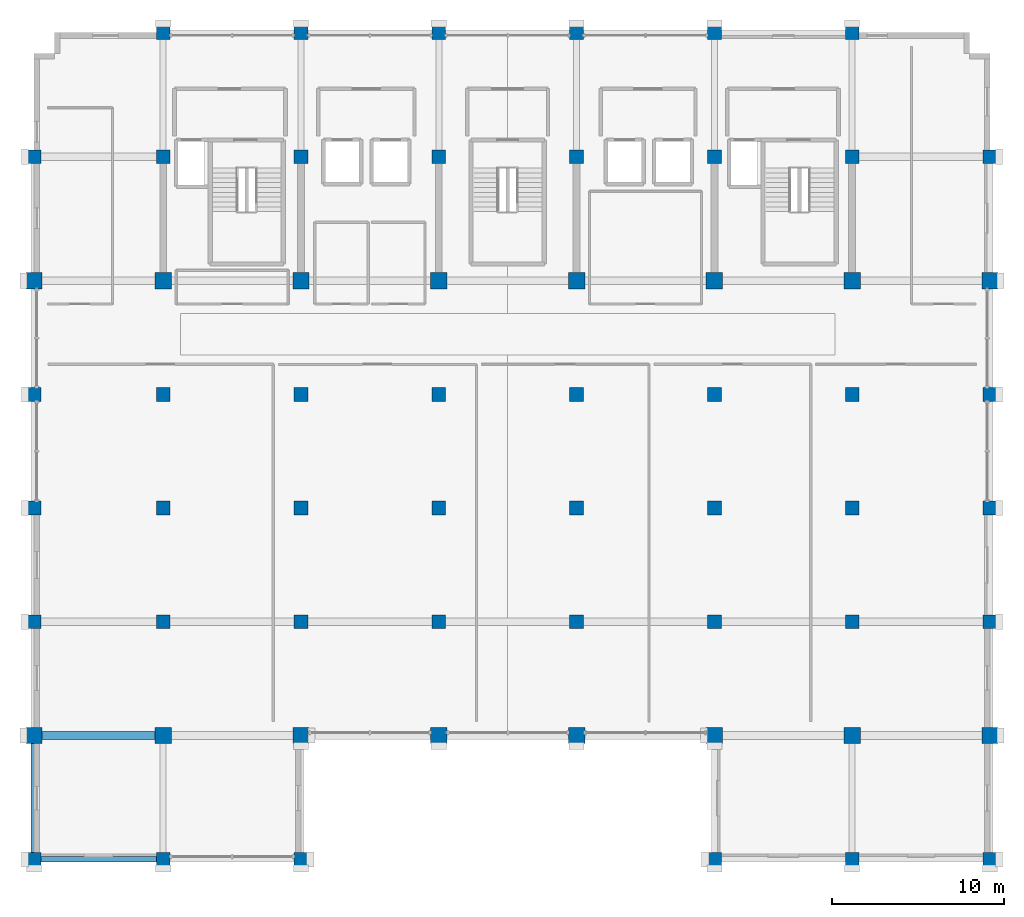
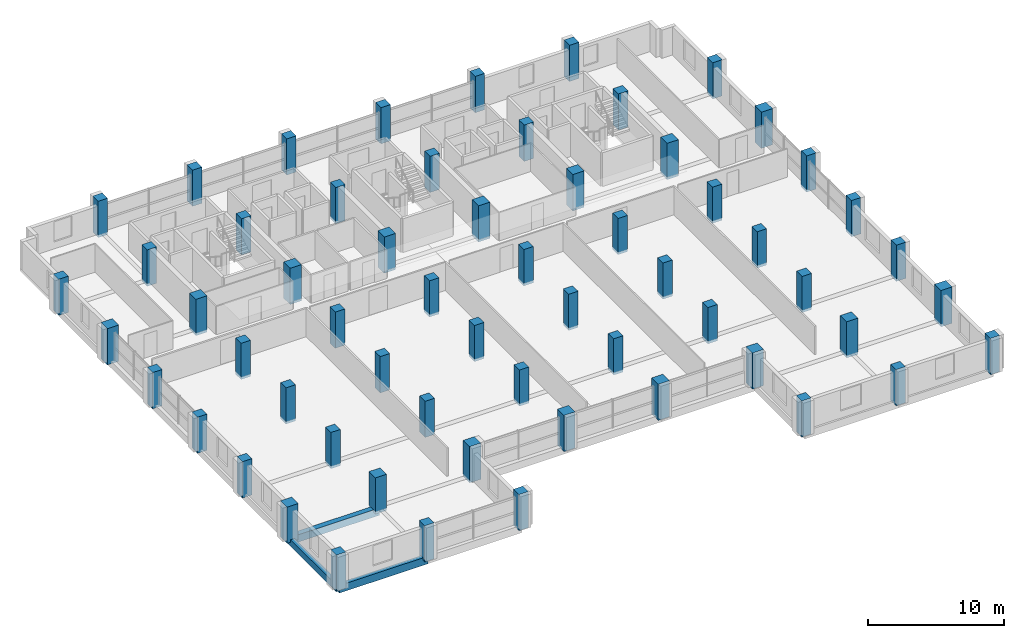
# One storey, part 1 of 23: 60 columns, 3 beams.
"""IFC4 building model written with IfcOpenShell, lengths in metres."""

from ifc_helpers import new_model, si_unit, direction, frame, origin, origin_2d, place, context, subcontext, project, spatial, rectangle, extrude, material, material_profile, profile_set, type_object, element, save


model = new_model("IFC4")

# Units and contexts
model_context = context("Model", 3, precision=1e-05, world=origin(), true_north=direction((0.0, 1.0)))
body_context = subcontext(model_context, "Body", "Model", "MODEL_VIEW")
ifc_project = project(units=[si_unit("LENGTHUNIT", "METRE"), si_unit("AREAUNIT", "SQUARE_METRE"), si_unit("VOLUMEUNIT", "CUBIC_METRE"), si_unit("PLANEANGLEUNIT", "RADIAN"), si_unit("MASSUNIT", "GRAM", prefix="KILO")], contexts=[model_context])

# Site, building, storey
site_placement = place(None, origin())
site = spatial("IfcSite", under=ifc_project, at=site_placement, CompositionType="ELEMENT")
building_placement = place(site_placement, origin())
building = spatial("IfcBuilding", under=site, at=building_placement, Name="Akrevak Sports Hall", CompositionType="ELEMENT")
storey_placement = place(building_placement, frame((0.0, 0.0, 47.050048828125)))
storey = spatial("IfcBuildingStorey", under=building, at=storey_placement, Name="L11", CompositionType="ELEMENT", Elevation=47.050048828125)

# Columns
ifc_material_1 = material(Name="Concrete C40/50", Category="concrete")
ifc_material_profile_1 = material_profile(ifc_material_1, rectangle(XDim=0.800048828125, YDim=0.800048828125, at=origin_2d()), Name="RC 800x800", Category="concrete")
ifc_profile_set_1 = profile_set([ifc_material_profile_1], Name="Concrete C40/50")
column_type_1 = type_object("IfcColumnType", Name="STR-COL-RC800", PredefinedType="COLUMN", material=ifc_profile_set_1)
for number, where, z_axis, x_axis, name in (
    (1, (52.5, 21.60009765625, -0.22998046875), (0.0, 0.0, 1.0), (1.0, 0.0, 0.0), "Column 8/D (L11)"),
    (2, (52.5, 35.39990234375, -0.22998046875), (0.0, 0.0, 1.0), (1.0, 0.0, 0.0), "Column 8/F (L11)"),
    (3, (52.5, 42.0, -0.22998046875), (0.0, 0.0, 1.0), (1.0, 0.0, 0.0), "Column 8/G (L11)"),
    (4, (52.5, 48.60009765625, -0.22998046875), (0.0, 0.0, 1.0), (1.0, 0.0, 0.0), "Column 8/H (L11)"),
    (5, (52.5, 62.39990234375, -0.22998046875), (0.0, 0.0, 1.0), (1.0, 0.0, 0.0), "Column 8/J (L11)"),
    (6, (60.0, 21.60009765625, -0.22998046875), (0.0, 0.0, 1.0), (1.0, 0.0, 0.0), "Column 9/D (L11)"),
    (7, (60.0, 35.39990234375, -0.22998046875), (0.0, 0.0, 1.0), (1.0, 0.0, 0.0), "Column 9/F (L11)"),
    (8, (60.0, 42.0, -0.22998046875), (0.0, 0.0, 1.0), (1.0, 0.0, 0.0), "Column 9/G (L11)"),
    (9, (60.0, 48.60009765625, -0.22998046875), (0.0, 0.0, 1.0), (1.0, 0.0, 0.0), "Column 9/H (L11)"),
    (10, (60.0, 62.39990234375, -0.22998046875), (0.0, 0.0, 1.0), (1.0, 0.0, 0.0), "Column 9/J (L11)"),
    (11, (60.0, 69.60009765625, -0.22998046875), (0.0, 0.0, 1.0), (1.0, 0.0, 0.0), "Column 9/K (L11)"),
    (12, (68.0, 21.60009765625, -0.22998046875), (0.0, 0.0, 1.0), (1.0, 0.0, 0.0), "Column 10/D (L11)"),
    (13, (68.0, 35.39990234375, -0.22998046875), (0.0, 0.0, 1.0), (1.0, 0.0, 0.0), "Column 10/F (L11)"),
    (14, (68.0, 42.0, -0.22998046875), (0.0, 0.0, 1.0), (1.0, 0.0, 0.0), "Column 10/G (L11)"),
    (15, (68.0, 48.60009765625, -0.22998046875), (0.0, 0.0, 1.0), (1.0, 0.0, 0.0), "Column 10/H (L11)"),
    (16, (68.0, 62.39990234375, -0.22998046875), (0.0, 0.0, 1.0), (1.0, 0.0, 0.0), "Column 10/J (L11)"),
    (17, (68.0, 69.60009765625, -0.22998046875), (0.0, 0.0, 1.0), (1.0, 0.0, 0.0), "Column 10/K (L11)"),
    (18, (76.0, 35.39990234375, -0.22998046875), (0.0, 0.0, 1.0), (1.0, 0.0, 0.0), "Column 11/F (L11)"),
    (19, (76.0, 42.0, -0.22998046875), (0.0, 0.0, 1.0), (1.0, 0.0, 0.0), "Column 11/G (L11)"),
    (20, (76.0, 48.60009765625, -0.22998046875), (0.0, 0.0, 1.0), (1.0, 0.0, 0.0), "Column 11/H (L11)"),
    (21, (76.0, 62.39990234375, -0.22998046875), (0.0, 0.0, 1.0), (1.0, 0.0, 0.0), "Column 11/J (L11)"),
    (22, (76.0, 69.60009765625, -0.22998046875), (0.0, 0.0, 1.0), (1.0, 0.0, 0.0), "Column 11/K (L11)"),
    (23, (84.0, 35.39990234375, -0.22998046875), (0.0, 0.0, 1.0), (1.0, 0.0, 0.0), "Column 12/F (L11)"),
    (24, (84.0, 42.0, -0.22998046875), (0.0, 0.0, 1.0), (1.0, 0.0, 0.0), "Column 12/G (L11)"),
    (25, (84.0, 48.60009765625, -0.22998046875), (0.0, 0.0, 1.0), (1.0, 0.0, 0.0), "Column 12/H (L11)"),
    (26, (84.0, 62.39990234375, -0.22998046875), (0.0, 0.0, 1.0), (1.0, 0.0, 0.0), "Column 12/J (L11)"),
    (27, (84.0, 69.60009765625, -0.22998046875), (0.0, 0.0, 1.0), (1.0, 0.0, 0.0), "Column 12/K (L11)"),
    (28, (92.0, 21.60009765625, -0.22998046875), (0.0, 0.0, 1.0), (1.0, 0.0, 0.0), "Column 13/D (L11)"),
    (29, (92.0, 35.39990234375, -0.22998046875), (0.0, 0.0, 1.0), (1.0, 0.0, 0.0), "Column 13/F (L11)"),
    (30, (92.0, 42.0, -0.22998046875), (0.0, 0.0, 1.0), (1.0, 0.0, 0.0), "Column 13/G (L11)"),
    (31, (92.0, 48.60009765625, -0.22998046875), (0.0, 0.0, 1.0), (1.0, 0.0, 0.0), "Column 13/H (L11)"),
    (32, (92.0, 62.39990234375, -0.22998046875), (0.0, 0.0, 1.0), (1.0, 0.0, 0.0), "Column 13/J (L11)"),
    (33, (92.0, 69.60009765625, -0.22998046875), (0.0, 0.0, 1.0), (1.0, 0.0, 0.0), "Column 13/K (L11)"),
    (34, (100.0, 21.60009765625, -0.22998046875), (0.0, 0.0, 1.0), (1.0, 0.0, 0.0), "Column 14/D (L11)"),
    (35, (100.0, 35.39990234375, -0.22998046875), (0.0, 0.0, 1.0), (1.0, 0.0, 0.0), "Column 14/F (L11)"),
    (36, (100.0, 42.0, -0.22998046875), (0.0, 0.0, 1.0), (1.0, 0.0, 0.0), "Column 14/G (L11)"),
    (37, (100.0, 48.60009765625, -0.22998046875), (0.0, 0.0, 1.0), (1.0, 0.0, 0.0), "Column 14/H (L11)"),
    (38, (100.0, 62.39990234375, -0.22998046875), (0.0, 0.0, 1.0), (1.0, 0.0, 0.0), "Column 14/J (L11)"),
    (39, (100.0, 69.60009765625, -0.22998046875), (0.0, 0.0, 1.0), (1.0, 0.0, 0.0), "Column 14/K (L11)"),
    (40, (108.0, 21.60009765625, -0.22998046875), (0.0, 0.0, 1.0), (1.0, 0.0, 0.0), "Column 15/D (L11)"),
    (41, (108.0, 35.39990234375, -0.22998046875), (0.0, 0.0, 1.0), (1.0, 0.0, 0.0), "Column 15/F (L11)"),
    (42, (108.0, 42.0, -0.22998046875), (0.0, 0.0, 1.0), (1.0, 0.0, 0.0), "Column 15/G (L11)"),
    (43, (108.0, 48.60009765625, -0.22998046875), (0.0, 0.0, 1.0), (1.0, 0.0, 0.0), "Column 15/H (L11)"),
    (44, (108.0, 62.39990234375, -0.22998046875), (0.0, 0.0, 1.0), (1.0, 0.0, 0.0), "Column 15/J (L11)"),
):
    element("IfcColumn", number, at=place(storey_placement, frame(where, z_axis=z_axis, x_axis=x_axis)), inside=storey, type_object=column_type_1, Name=name, PredefinedType="COLUMN", context=body_context, shape_type="SweptSolid", body=[
        extrude(rectangle(XDim=0.800048828125, YDim=0.800048828125, at=origin_2d()), origin(), (0.0, 0.0, 1.0), 3.25),
    ])
ifc_material_2 = material(Name="Concrete C50/60", Category="concrete")
ifc_material_profile_2 = material_profile(ifc_material_2, rectangle(XDim=0.949951171875, YDim=0.949951171875, at=origin_2d()), Name="RC 950x950", Category="concrete")
ifc_profile_set_2 = profile_set([ifc_material_profile_2], Name="Concrete C50/60")
column_type_2 = type_object("IfcColumnType", Name="STR-COL-RC950", PredefinedType="COLUMN", material=ifc_profile_set_2)
for number, where, z_axis, x_axis, name in (
    (45, (52.5, 28.800048828125, -0.22998046875), (0.0, 0.0, 1.0), (1.0, 0.0, 0.0), "Column 8/E (L11)"),
    (46, (52.5, 55.199951171875, -0.22998046875), (0.0, 0.0, 1.0), (1.0, 0.0, 0.0), "Column 8/I (L11)"),
    (47, (60.0, 28.800048828125, -0.22998046875), (0.0, 0.0, 1.0), (1.0, 0.0, 0.0), "Column 9/E (L11)"),
    (48, (60.0, 55.199951171875, -0.22998046875), (0.0, 0.0, 1.0), (1.0, 0.0, 0.0), "Column 9/I (L11)"),
    (49, (68.0, 28.800048828125, -0.22998046875), (0.0, 0.0, 1.0), (1.0, 0.0, 0.0), "Column 10/E (L11)"),
    (50, (68.0, 55.199951171875, -0.22998046875), (0.0, 0.0, 1.0), (1.0, 0.0, 0.0), "Column 10/I (L11)"),
    (51, (76.0, 28.800048828125, -0.22998046875), (0.0, 0.0, 1.0), (1.0, 0.0, 0.0), "Column 11/E (L11)"),
    (52, (76.0, 55.199951171875, -0.22998046875), (0.0, 0.0, 1.0), (1.0, 0.0, 0.0), "Column 11/I (L11)"),
    (53, (84.0, 28.800048828125, -0.22998046875), (0.0, 0.0, 1.0), (1.0, 0.0, 0.0), "Column 12/E (L11)"),
    (54, (84.0, 55.199951171875, -0.22998046875), (0.0, 0.0, 1.0), (1.0, 0.0, 0.0), "Column 12/I (L11)"),
    (55, (92.0, 28.800048828125, -0.22998046875), (0.0, 0.0, 1.0), (1.0, 0.0, 0.0), "Column 13/E (L11)"),
    (56, (92.0, 55.199951171875, -0.22998046875), (0.0, 0.0, 1.0), (1.0, 0.0, 0.0), "Column 13/I (L11)"),
    (57, (100.0, 28.800048828125, -0.22998046875), (0.0, 0.0, 1.0), (1.0, 0.0, 0.0), "Column 14/E (L11)"),
    (58, (100.0, 55.199951171875, -0.22998046875), (0.0, 0.0, 1.0), (1.0, 0.0, 0.0), "Column 14/I (L11)"),
    (59, (108.0, 28.800048828125, -0.22998046875), (0.0, 0.0, 1.0), (1.0, 0.0, 0.0), "Column 15/E (L11)"),
    (60, (108.0, 55.199951171875, -0.22998046875), (0.0, 0.0, 1.0), (1.0, 0.0, 0.0), "Column 15/I (L11)"),
):
    element("IfcColumn", number, at=place(storey_placement, frame(where, z_axis=z_axis, x_axis=x_axis)), inside=storey, type_object=column_type_2, Name=name, PredefinedType="COLUMN", context=body_context, shape_type="SweptSolid", body=[
        extrude(rectangle(XDim=0.949951171875, YDim=0.949951171875, at=origin_2d()), origin(), (0.0, 0.0, 1.0), 3.25),
    ])

# Beams
ifc_material_profile_3 = material_profile(ifc_material_1, rectangle(XDim=0.35009765625, YDim=0.60009765625, at=origin_2d()), Name="BM 350x600", Category="concrete")
ifc_profile_set_3 = profile_set([ifc_material_profile_3], Name="Concrete C40/50")
beam_type_1 = type_object("IfcBeamType", Name="STR-BM-RC350x600", PredefinedType="BEAM", material=ifc_profile_set_3)
beam_1_placement = place(storey_placement, frame((52.5, 21.60009765625, -0.300048828125), z_axis=(0.0, 1.0, 0.0), x_axis=(-1.0, 0.0, 0.0)))
element("IfcBeam", 61, at=beam_1_placement, inside=storey, type_object=beam_type_1, Name="Girder 8/D-E (L11)", PredefinedType="BEAM", context=body_context, shape_type="SweptSolid", body=[
    extrude(rectangle(XDim=0.35009765625, YDim=0.60009765625, at=origin_2d()), origin(), (0.0, 0.0, 1.0), 7.199951171875),
])
ifc_material_profile_4 = material_profile(ifc_material_1, rectangle(XDim=0.449951171875, YDim=0.64990234375, at=origin_2d()), Name="BM 450x650", Category="concrete")
ifc_profile_set_4 = profile_set([ifc_material_profile_4], Name="Concrete C40/50")
beam_type_2 = type_object("IfcBeamType", Name="STR-BM-RC450x650", PredefinedType="BEAM", material=ifc_profile_set_4)
beam_2_placement = place(storey_placement, frame((52.5, 28.800048828125, -0.324951171875), z_axis=(1.0, 0.0, 0.0), x_axis=(0.0, 1.0, 0.0)))
element("IfcBeam", 62, at=beam_2_placement, inside=storey, type_object=beam_type_2, Name="Girder E/8-9 (L11)", PredefinedType="BEAM", context=body_context, shape_type="SweptSolid", body=[
    extrude(rectangle(XDim=0.449951171875, YDim=0.64990234375, at=origin_2d()), origin(), (0.0, 0.0, 1.0), 7.5),
])
ifc_material_profile_5 = material_profile(ifc_material_1, rectangle(XDim=0.320068359375, YDim=0.679931640625, at=origin_2d()), Name="SPD 320x680", Category="concrete")
ifc_profile_set_5 = profile_set([ifc_material_profile_5], Name="Concrete C40/50")
beam_type_3 = type_object("IfcBeamType", Name="STR-SPD-RC320x680", PredefinedType="SPANDREL", material=ifc_profile_set_5)
beam_3_placement = place(storey_placement, frame((52.5, 21.60009765625, -0.340087890625), z_axis=(1.0, 0.0, 0.0), x_axis=(0.0, 1.0, 0.0)))
element("IfcBeam", 63, at=beam_3_placement, inside=storey, type_object=beam_type_3, Name="Girder D/8-9 (L11)", PredefinedType="SPANDREL", context=body_context, shape_type="SweptSolid", body=[
    extrude(rectangle(XDim=0.320068359375, YDim=0.679931640625, at=origin_2d()), origin(), (0.0, 0.0, 1.0), 7.5),
])

save(model, "model.ifc")
